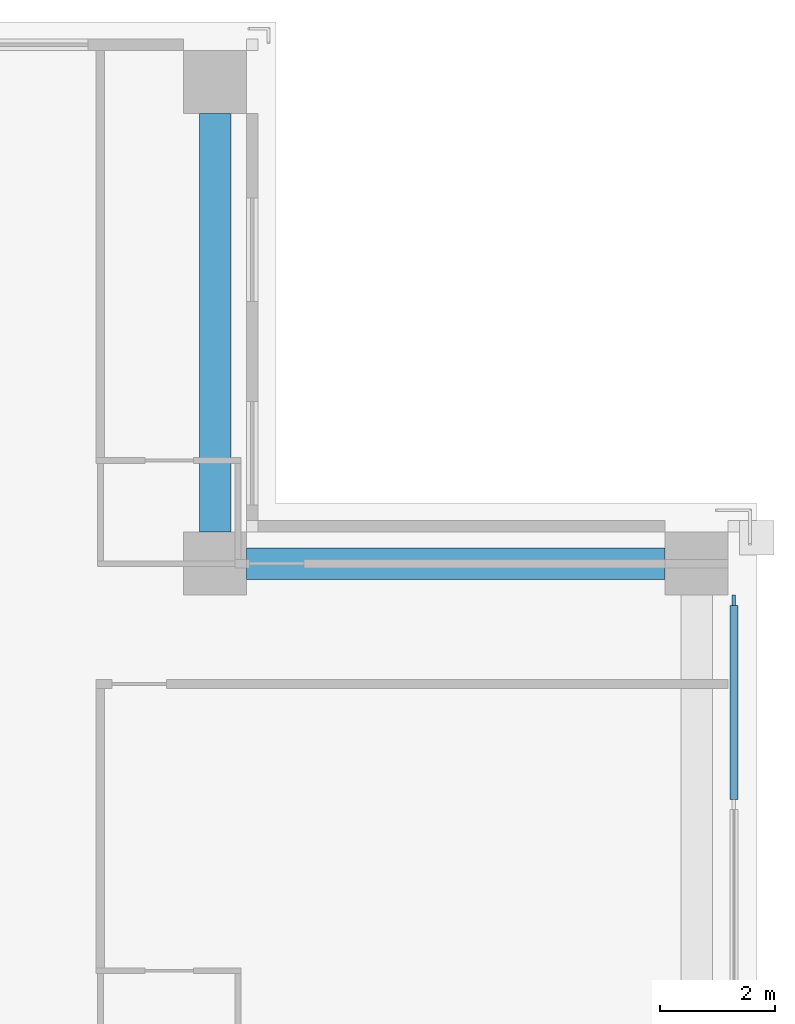
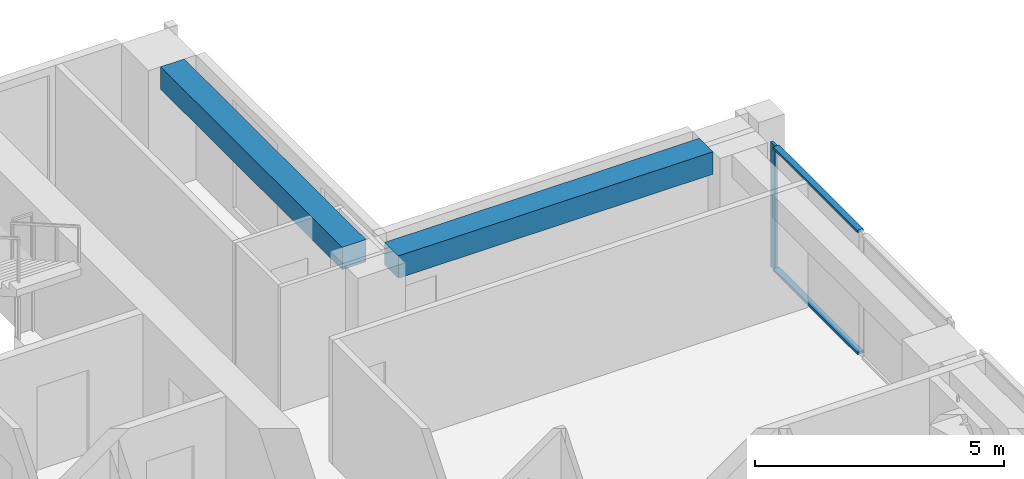
# One storey, part 7 of 16: 3 members, 2 beams, 1 element without a shape of its own.
"""IFC4 building model written with IfcOpenShell, lengths in metres."""

from ifc_helpers import new_model, si_unit, direction, frame, origin, origin_2d, place, context, subcontext, project, spatial, rectangle, extrude, material, material_profile, profile_set, type_object, element, aggregate, save


model = new_model("IFC4")

# Units and contexts
model_context = context("Model", 3, precision=1e-05, world=origin(), true_north=direction((0.0, 1.0)))
body_context = subcontext(model_context, "Body", "Model", "MODEL_VIEW")
ifc_project = project(units=[si_unit("LENGTHUNIT", "METRE"), si_unit("AREAUNIT", "SQUARE_METRE"), si_unit("VOLUMEUNIT", "CUBIC_METRE"), si_unit("PLANEANGLEUNIT", "RADIAN"), si_unit("MASSUNIT", "GRAM", prefix="KILO")], contexts=[model_context])

# Site, building, storey
site_placement = place(None, origin())
site = spatial("IfcSite", under=ifc_project, at=site_placement, CompositionType="ELEMENT")
building_placement = place(site_placement, origin())
building = spatial("IfcBuilding", under=site, at=building_placement, Name="Vermilion Ogive Tower", CompositionType="ELEMENT")
storey_placement = place(building_placement, frame((0.0, 0.0, 136.550048828125)))
storey = spatial("IfcBuildingStorey", under=building, at=storey_placement, Name="L34", CompositionType="ELEMENT", Elevation=136.550048828125)

# Curtain wall, members
ifc_material_1 = material(Name="Low-iron laminated glazing in aluminium frame", Category="aluminium")
curtain_wall_type = type_object("IfcCurtainWallType", Name="Curtain wall CW7", PredefinedType="NOTDEFINED", material=ifc_material_1)
curtain_wall_placement = place(storey_placement, origin())
curtain_wall = element("IfcCurtainWall", 1, at=curtain_wall_placement, inside=storey, type_object=curtain_wall_type, Name="Glazed skin E3", PredefinedType="NOTDEFINED")
ifc_material_2 = material(Name="Aluminium mullion", Category="aluminium")
ifc_material_profile_1 = material_profile(ifc_material_2, rectangle(XDim=0.06005859375, YDim=0.179931640625, at=origin_2d()), Name="AL 60x180")
ifc_profile_set_1 = profile_set([ifc_material_profile_1], Name="Aluminium mullion")
member_type_1 = type_object("IfcMemberType", Name="CW7 mullion 60x180", PredefinedType="MULLION", material=ifc_profile_set_1)
member_1_placement = place(storey_placement, frame((21.64990234375, 11.9599609375, 0.0), z_axis=(0.0, 0.0, 1.0), x_axis=(-1.0, 0.0, 0.0)))
member_1 = element("IfcMember", 2, at=member_1_placement, type_object=member_type_1, Name="CW7-E3 mullion 3", PredefinedType="MULLION", context=body_context, shape_type="SweptSolid", body=[
    extrude(rectangle(XDim=0.06005859375, YDim=0.179931640625, at=origin_2d()), origin(), (0.0, 0.0, 1.0), 3.050048828125),
])
ifc_material_3 = material(Name="Aluminium transom", Category="aluminium")
ifc_material_profile_2 = material_profile(ifc_material_3, rectangle(XDim=0.139892578125, YDim=0.06005859375, at=origin_2d()), Name="AL 60x140")
ifc_profile_set_2 = profile_set([ifc_material_profile_2], Name="Aluminium transom")
member_type_2 = type_object("IfcMemberType", Name="CW7 transom 60x140", PredefinedType="USERDEFINED", material=ifc_profile_set_2)
member_2_placement = place(storey_placement, frame((21.64990234375, 8.489990234375, 0.030029296875), z_axis=(0.0, 1.0, 0.0), x_axis=(-1.0, 0.0, 0.0)))
member_2 = element("IfcMember", 3, at=member_2_placement, type_object=member_type_2, Name="CW7-E3 transom 2.1", ObjectType="TRANSOM", PredefinedType="USERDEFINED", context=body_context, shape_type="SweptSolid", body=[
    extrude(rectangle(XDim=0.139892578125, YDim=0.06005859375, at=origin_2d()), origin(), (0.0, 0.0, 1.0), 3.380126953125),
])
member_3_placement = place(storey_placement, frame((21.64990234375, 8.489990234375, 3.02001953125), z_axis=(0.0, 1.0, 0.0), x_axis=(-1.0, 0.0, 0.0)))
member_3 = element("IfcMember", 4, at=member_3_placement, type_object=member_type_2, Name="CW7-E3 transom 2.2", ObjectType="TRANSOM", PredefinedType="USERDEFINED", context=body_context, shape_type="SweptSolid", body=[
    extrude(rectangle(XDim=0.139892578125, YDim=0.06005859375, at=origin_2d()), origin(), (0.0, 0.0, 1.0), 3.380126953125),
])
aggregate(curtain_wall, [member_1, member_2, member_3])

# Beams
ifc_material_4 = material(Name="Concrete B45", Category="concrete")
ifc_material_profile_3 = material_profile(ifc_material_4, rectangle(XDim=0.550048828125, YDim=0.550048828125, at=origin_2d()), Name="550 x 550")
ifc_profile_set_3 = profile_set([ifc_material_profile_3], Name="Concrete B45")
beam_type = type_object("IfcBeamType", Name="Edge beam 550 x 550 B45", PredefinedType="BEAM", material=ifc_profile_set_3)
for number, where, z_axis, x_axis, name in (
    (5, (20.449951171875, 12.60009765625, 2.77490234375), (-1.0, 0.0, 0.0), (0.0, -1.0, 0.0), "L34-EB-9"),
    (6, (12.60009765625, 13.14990234375, 2.77490234375), (0.0, 1.0, 0.0), (-1.0, 0.0, 0.0), "L34-EB-10"),
):
    element("IfcBeam", number, at=place(storey_placement, frame(where, z_axis=z_axis, x_axis=x_axis)), inside=storey, type_object=beam_type, Name=name, PredefinedType="BEAM", context=body_context, shape_type="SweptSolid", body=[
        extrude(rectangle(XDim=0.550048828125, YDim=0.550048828125, at=origin_2d()), origin(), (0.0, 0.0, 1.0), 7.300048828125),
    ])

save(model, "model.ifc")
